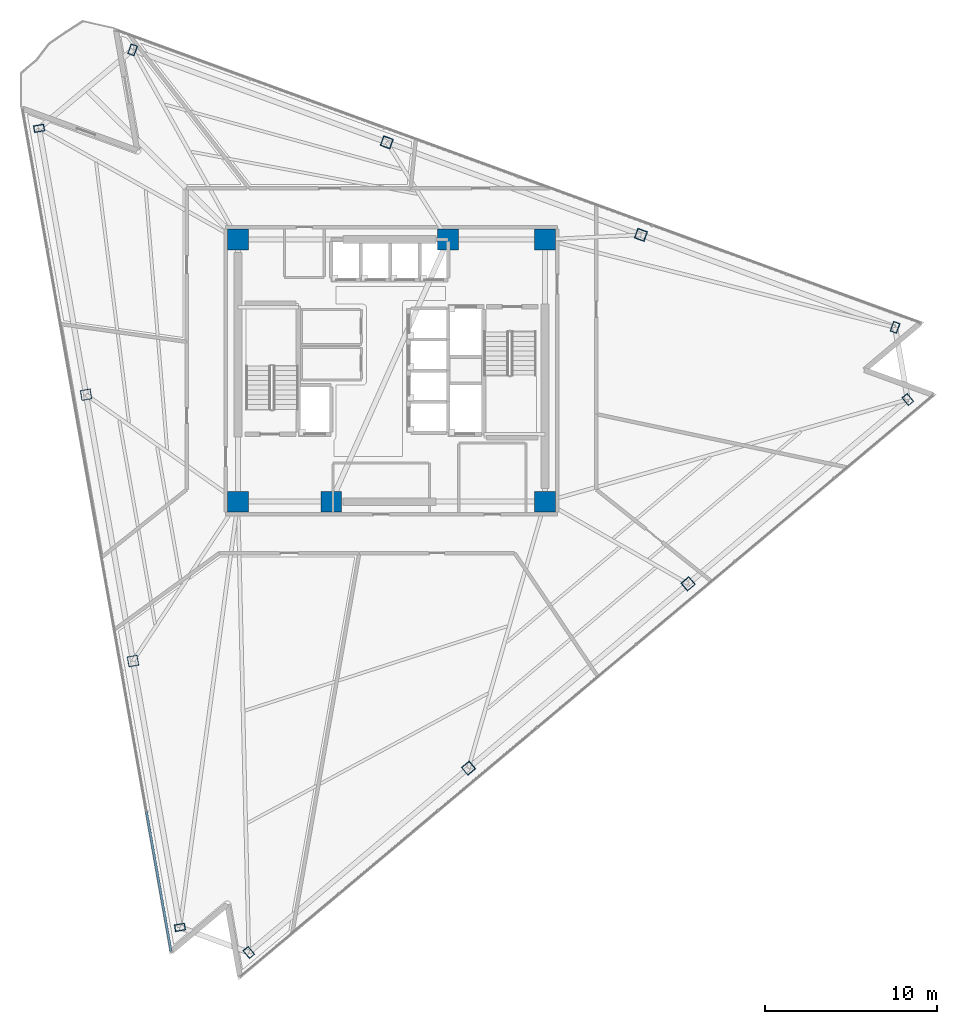
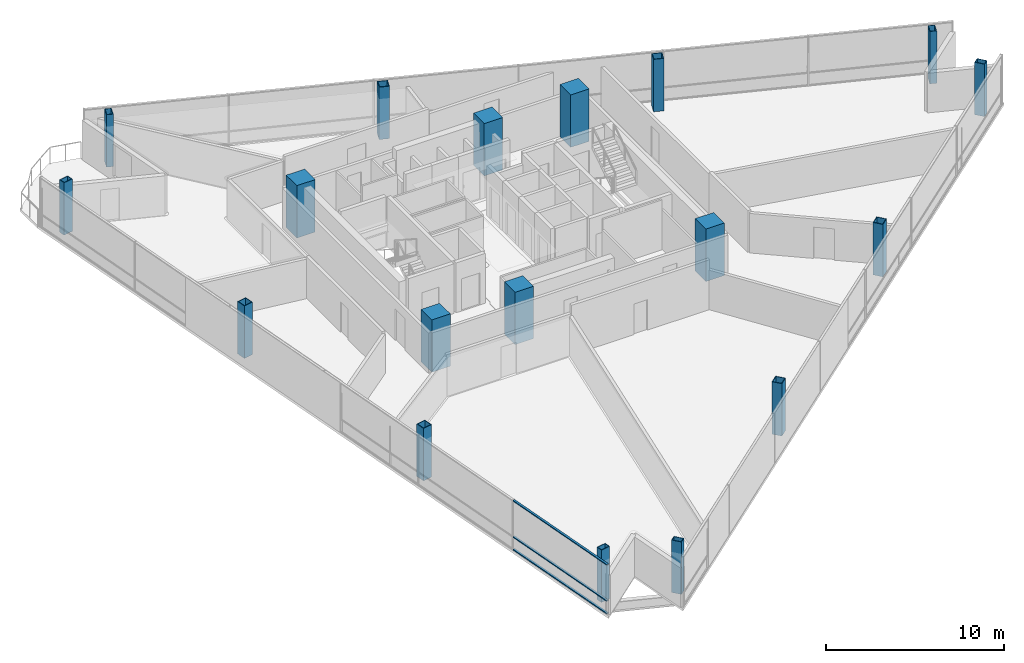
# One storey, part 1 of 16: 18 columns, 3 members, 1 element without a shape of its own.
"""IFC4 building model written with IfcOpenShell, lengths in metres."""

from ifc_helpers import new_model, si_unit, direction, frame, origin, origin_2d, place, context, subcontext, project, spatial, rectangle, hollow_rectangle, extrude, material, layer, layer_set, material_profile, profile_set, type_object, element, aggregate, save


model = new_model("IFC4")

# Units and contexts
model_context = context("Model", 3, precision=1e-05, world=origin(), true_north=direction((0.0, 1.0)))
body_context = subcontext(model_context, "Body", "Model", "MODEL_VIEW")
ifc_project = project(units=[si_unit("LENGTHUNIT", "METRE"), si_unit("AREAUNIT", "SQUARE_METRE"), si_unit("VOLUMEUNIT", "CUBIC_METRE"), si_unit("PLANEANGLEUNIT", "RADIAN"), si_unit("MASSUNIT", "GRAM", prefix="KILO")], contexts=[model_context])

# Site, building, storey
site_placement = place(None, origin())
site = spatial("IfcSite", under=ifc_project, at=site_placement, CompositionType="ELEMENT")
building_placement = place(site_placement, origin())
building = spatial("IfcBuilding", under=site, at=building_placement, Name="Tharavind Bronze Gate", CompositionType="ELEMENT")
storey_placement = place(building_placement, frame((0.0, 0.0, 170.5)))
storey = spatial("IfcBuildingStorey", under=building, at=storey_placement, Name="L43", CompositionType="ELEMENT", Elevation=170.5)

# Columns
ifc_material_1 = material(Name="Steel S460", Category="steel")
ifc_material_profile_1 = material_profile(ifc_material_1, hollow_rectangle(XDim=0.39990234375, YDim=0.60009765625, WallThickness=0.030029296875, at=origin_2d()), Name="RHS600X400X30")
ifc_profile_set_1 = profile_set([ifc_material_profile_1], Name="Steel S460")
column_type_1 = type_object("IfcColumnType", Name="CORNER NOTCH COLUMN RHS600X400", PredefinedType="COLUMN", material=ifc_profile_set_1)
for number, where, z_axis, x_axis, name in (
    (1, (-20.4326171875, 14.043212890625, 0.0), (0.0, 0.0, 1.0), (-0.173648177667, 0.984807753012, 0.0), "L43 perimeter column S1C1"),
    (2, (-12.263916015625, -32.2841796875, 0.0), (0.0, 0.0, 1.0), (-0.173648177667, 0.984807753012, 0.0), "L43 perimeter column S1C4"),
    (3, (-8.27197265625, -33.737060546875, 0.0), (0.0, 0.0, 1.0), (0.766043321242, 0.642788946685, 0.0), "L43 perimeter column S2C1"),
    (4, (29.933837890625, -1.6787109375, 0.0), (0.0, 0.0, 1.0), (0.766043321242, 0.642788946685, 0.0), "L43 perimeter column S2C4"),
    (5, (29.1962890625, 2.5048828125, 0.0), (0.0, 0.0, 1.0), (-0.939692023847, 0.342021783398, 0.0), "L43 perimeter column S3C1"),
    (6, (-15.0087890625, 18.59423828125, 0.0), (0.0, 0.0, 1.0), (-0.939692023847, 0.342021783398, 0.0), "L43 perimeter column S3C4"),
):
    element("IfcColumn", number, at=place(storey_placement, frame(where, z_axis=z_axis, x_axis=x_axis)), inside=storey, type_object=column_type_1, Name=name, PredefinedType="COLUMN", context=body_context, shape_type="SweptSolid", body=[
        extrude(hollow_rectangle(XDim=0.39990234375, YDim=0.60009765625, WallThickness=0.030029296875, at=origin_2d()), origin(), (0.0, 0.0, 1.0), 3.60009765625),
    ])
ifc_material_2 = material(Name="Concrete C60/75", Category="concrete")
ifc_material_profile_2 = material_profile(ifc_material_2, rectangle(XDim=1.199951171875, YDim=1.199951171875, at=origin_2d()), Name="RCCOL1200")
ifc_profile_set_2 = profile_set([ifc_material_profile_2], Name="Concrete C60/75")
column_type_2 = type_object("IfcColumnType", Name="MEGA CORE COLUMN 1200", PredefinedType="COLUMN", material=ifc_profile_set_2)
for number, where, z_axis, x_axis, name in (
    (7, (-8.89990234375, -7.60009765625, 0.0), (0.0, 0.0, 1.0), (1.0, 0.0, 0.0), "L43 core mega column MC1"),
    (8, (-3.5, -7.60009765625, 0.0), (0.0, 0.0, 1.0), (1.0, 0.0, 0.0), "L43 core mega column MC2"),
    (9, (8.89990234375, -7.60009765625, 0.0), (0.0, 0.0, 1.0), (1.0, 0.0, 0.0), "L43 core mega column MC3"),
    (10, (8.89990234375, 7.60009765625, 0.0), (0.0, 0.0, 1.0), (1.0, 0.0, 0.0), "L43 core mega column MC4"),
    (11, (3.280029296875, 7.60009765625, 0.0), (0.0, 0.0, 1.0), (1.0, 0.0, 0.0), "L43 core mega column MC5"),
    (12, (-8.89990234375, 7.60009765625, 0.0), (0.0, 0.0, 1.0), (1.0, 0.0, 0.0), "L43 core mega column MC6"),
):
    element("IfcColumn", number, at=place(storey_placement, frame(where, z_axis=z_axis, x_axis=x_axis)), inside=storey, type_object=column_type_2, Name=name, PredefinedType="COLUMN", context=body_context, shape_type="SweptSolid", body=[
        extrude(rectangle(XDim=1.199951171875, YDim=1.199951171875, at=origin_2d()), origin(), (0.0, 0.0, 1.0), 3.60009765625),
    ])
ifc_material_profile_3 = material_profile(ifc_material_1, hollow_rectangle(XDim=0.60009765625, YDim=0.60009765625, WallThickness=0.035888671875, at=origin_2d()), Name="SHS600X36")
ifc_profile_set_3 = profile_set([ifc_material_profile_3], Name="Steel S460")
column_type_3 = type_object("IfcColumnType", Name="PERIMETER BOX COLUMN SHS600", PredefinedType="COLUMN", material=ifc_profile_set_3)
for number, where, z_axis, x_axis, name in (
    (13, (-17.709716796875, -1.3994140625, 0.0), (0.0, 0.0, 1.0), (-0.173648177667, 0.984807753012, 0.0), "L43 perimeter column S1C2"),
    (14, (-14.98681640625, -16.841796875, 0.0), (0.0, 0.0, 1.0), (-0.173648177667, 0.984807753012, 0.0), "L43 perimeter column S1C3"),
    (15, (4.46337890625, -23.05078125, 0.0), (0.0, 0.0, 1.0), (0.766043321242, 0.642788946685, 0.0), "L43 perimeter column S2C2"),
    (16, (17.198486328125, -12.36474609375, 0.0), (0.0, 0.0, 1.0), (0.766043321242, 0.642788946685, 0.0), "L43 perimeter column S2C3"),
    (17, (14.461181640625, 7.867919921875, 0.0), (0.0, 0.0, 1.0), (-0.939692023847, 0.342021783398, 0.0), "L43 perimeter column S3C2"),
    (18, (-0.27392578125, 13.231201171875, 0.0), (0.0, 0.0, 1.0), (-0.939692023847, 0.342021783398, 0.0), "L43 perimeter column S3C3"),
):
    element("IfcColumn", number, at=place(storey_placement, frame(where, z_axis=z_axis, x_axis=x_axis)), inside=storey, type_object=column_type_3, Name=name, PredefinedType="COLUMN", context=body_context, shape_type="SweptSolid", body=[
        extrude(hollow_rectangle(XDim=0.60009765625, YDim=0.60009765625, WallThickness=0.035888671875, at=origin_2d()), origin(), (0.0, 0.0, 1.0), 3.60009765625),
    ])

# Curtain wall, members
ifc_material_3 = material(Name="Anodised Bronze Aluminium", Category="aluminium")
ifc_layer = layer(ifc_material_3, 0.219970703125)
ifc_layer_set = layer_set([ifc_layer], Name="Anodised Bronze Aluminium")
curtain_wall_type = type_object("IfcCurtainWallType", Name="UNITISED CURTAIN WALL MID OFFICE", PredefinedType="USERDEFINED", material=ifc_layer_set)
curtain_wall_placement = place(storey_placement, origin())
curtain_wall = element("IfcCurtainWall", 19, at=curtain_wall_placement, inside=storey, type_object=curtain_wall_type, Name="L43 unitised curtain wall mid office CW-L43-S1", ObjectType="UNITISED CURTAIN WALL", PredefinedType="USERDEFINED")
member_type = type_object("IfcMemberType", Name="CURTAIN WALL BRONZE TRANSOM 65X140", PredefinedType="USERDEFINED", material=ifc_material_3)
member_1_placement = place(storey_placement, frame((-13.4951171875, -29.6201171875, 0.0), z_axis=(0.0, 0.0, 1.0), x_axis=(0.173648177667, -0.984807753012, 0.0)))
member_1 = element("IfcMember", 20, at=member_1_placement, type_object=member_type, Name="CW-L43-S1 transom TB6", ObjectType="TRANSOM", PredefinedType="USERDEFINED", context=body_context, shape_type="SweptSolid", body=[
    extrude(rectangle(XDim=8.220458984375, YDim=0.139892578125, at=origin_2d()), origin(), (0.0, 0.0, 1.0), 0.06494140625),
])
member_2_placement = place(storey_placement, frame((-13.4951171875, -29.6201171875, 0.867431640625), z_axis=(0.0, 0.0, 1.0), x_axis=(0.173648177667, -0.984807753012, 0.0)))
member_2 = element("IfcMember", 21, at=member_2_placement, type_object=member_type, Name="CW-L43-S1 transom TS6", ObjectType="TRANSOM", PredefinedType="USERDEFINED", context=body_context, shape_type="SweptSolid", body=[
    extrude(rectangle(XDim=8.220458984375, YDim=0.139892578125, at=origin_2d()), origin(), (0.0, 0.0, 1.0), 0.06494140625),
])
member_3_placement = place(storey_placement, frame((-13.4951171875, -29.6201171875, 3.35498046875), z_axis=(0.0, 0.0, 1.0), x_axis=(0.173648177667, -0.984807753012, 0.0)))
member_3 = element("IfcMember", 22, at=member_3_placement, type_object=member_type, Name="CW-L43-S1 transom TT6", ObjectType="TRANSOM", PredefinedType="USERDEFINED", context=body_context, shape_type="SweptSolid", body=[
    extrude(rectangle(XDim=8.220458984375, YDim=0.139892578125, at=origin_2d()), origin(), (0.0, 0.0, 1.0), 0.06494140625),
])
aggregate(curtain_wall, [member_1, member_2, member_3])

save(model, "model.ifc")
